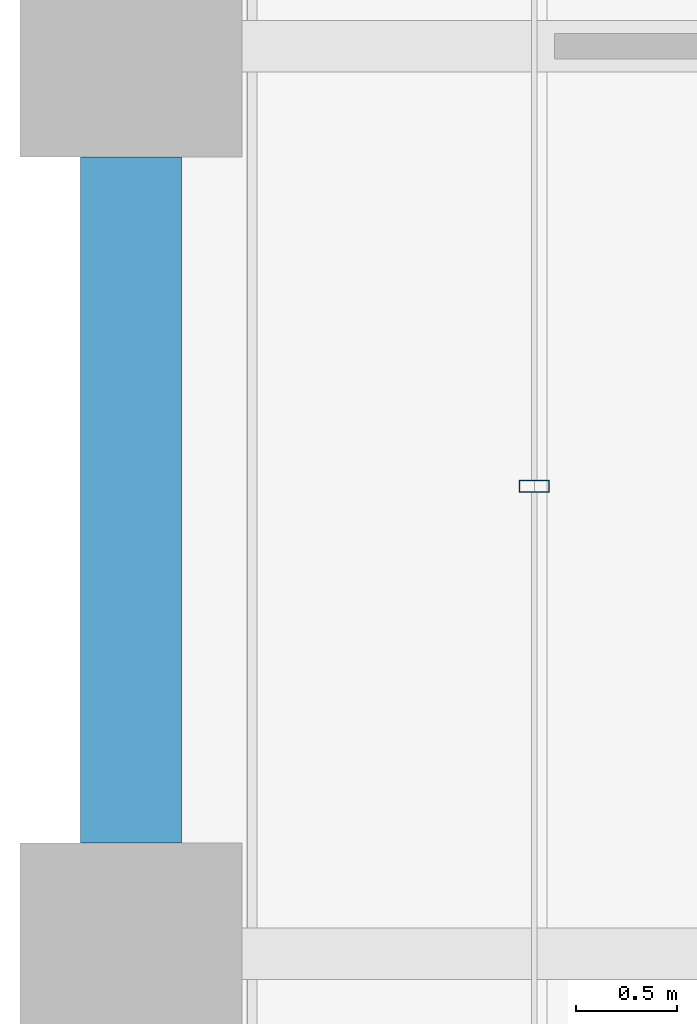
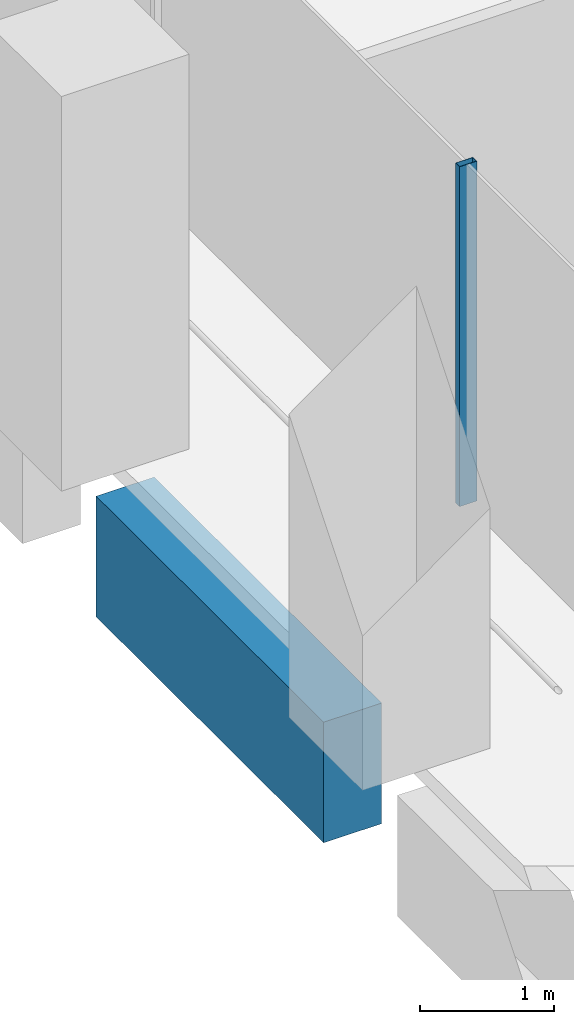
# One storey, part 12 of 56: 1 beam, 1 member, 1 element without a shape of its own.
"""IFC4 building model written with IfcOpenShell, lengths in metres."""

from ifc_helpers import new_model, si_unit, direction, frame, origin, origin_2d, place, context, subcontext, project, spatial, rectangle, hollow_rectangle, extrude, material, material_profile, profile_set, type_object, element, aggregate, save


model = new_model("IFC4")

# Units and contexts
model_context = context("Model", 3, precision=1e-05, world=origin(), true_north=direction((0.0, 1.0)))
body_context = subcontext(model_context, "Body", "Model", "MODEL_VIEW")
ifc_project = project(units=[si_unit("LENGTHUNIT", "METRE"), si_unit("AREAUNIT", "SQUARE_METRE"), si_unit("VOLUMEUNIT", "CUBIC_METRE"), si_unit("PLANEANGLEUNIT", "RADIAN"), si_unit("MASSUNIT", "GRAM", prefix="KILO")], contexts=[model_context])

# Site, building, storey
site_placement = place(None, origin())
site = spatial("IfcSite", under=ifc_project, at=site_placement, CompositionType="ELEMENT")
building_placement = place(site_placement, origin())
building = spatial("IfcBuilding", under=site, at=building_placement, Name="Altepetl Exchange Towers", CompositionType="ELEMENT")
storey_placement = place(building_placement, frame((0.0, 0.0, 83.39990234375)))
storey = spatial("IfcBuildingStorey", under=building, at=storey_placement, Name="L20", CompositionType="ELEMENT", Elevation=83.39990234375)

# Curtain wall, member
ifc_material_1 = material(Name="Aluminium 6063-T6 glazing", Category="aluminium")
curtain_wall_type = type_object("IfcCurtainWallType", Name="Loggia glazing system", PredefinedType="NOTDEFINED", material=ifc_material_1)
curtain_wall_placement = place(storey_placement, origin())
curtain_wall = element("IfcCurtainWall", 1, at=curtain_wall_placement, inside=storey, type_object=curtain_wall_type, Name="CW1 run", PredefinedType="NOTDEFINED")
ifc_material_2 = material(Name="Aluminium 6063-T6", Category="aluminium")
ifc_material_profile_1 = material_profile(ifc_material_2, hollow_rectangle(XDim=0.06005859375, YDim=0.14990234375, WallThickness=0.0029296875, at=origin_2d()), Name="Mullion 60x150 aluminium")
ifc_profile_set_1 = profile_set([ifc_material_profile_1], Name="Aluminium 6063-T6")
member_type = type_object("IfcMemberType", Name="Mullion 60x150 aluminium", PredefinedType="MULLION", material=ifc_profile_set_1)
member_placement = place(storey_placement, frame((29.0, 51.81787109375, 0.0), z_axis=(0.0, 0.0, 1.0), x_axis=(0.0, -1.0, 0.0)))
member = element("IfcMember", 2, at=member_placement, type_object=member_type, Name="MU1 mullion", PredefinedType="MULLION", context=body_context, shape_type="SweptSolid", body=[
    extrude(hollow_rectangle(XDim=0.06005859375, YDim=0.14990234375, WallThickness=0.0029296875, at=origin_2d()), origin(), (0.0, 0.0, 1.0), 3.10009765625),
])
aggregate(curtain_wall, [member])

# Beam
ifc_material_3 = material(Name="Concrete C50/60 precast with tezontle facing", Category="concrete")
ifc_material_profile_2 = material_profile(ifc_material_3, rectangle(XDim=0.5, YDim=1.10009765625, at=origin_2d()), Name="500 x 1100")
ifc_profile_set_2 = profile_set([ifc_material_profile_2], Name="Concrete C50/60 precast with tezontle facing")
beam_type = type_object("IfcBeamType", Name="Spandrel beam 500x1100 tezontle", PredefinedType="SPANDREL", material=ifc_profile_set_2)
beam_placement = place(storey_placement, frame((27.0, 53.449951171875, -0.699951171875), z_axis=(0.0, -1.0, 0.0), x_axis=(1.0, 0.0, 0.0)))
element("IfcBeam", 3, at=beam_placement, inside=storey, type_object=beam_type, Name="sp:A:L20:039", PredefinedType="SPANDREL", context=body_context, shape_type="SweptSolid", body=[
    extrude(rectangle(XDim=0.5, YDim=1.10009765625, at=origin_2d()), origin(), (0.0, 0.0, 1.0), 3.39990234375),
])

save(model, "model.ifc")
